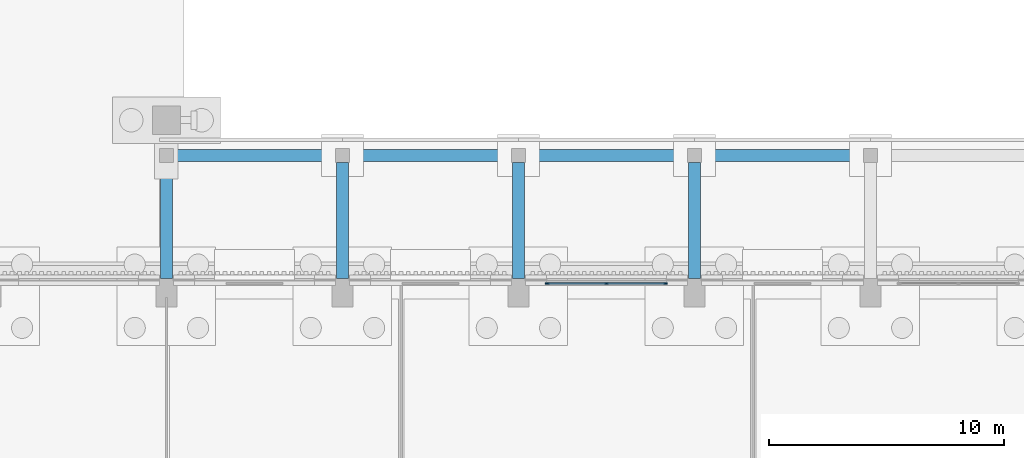
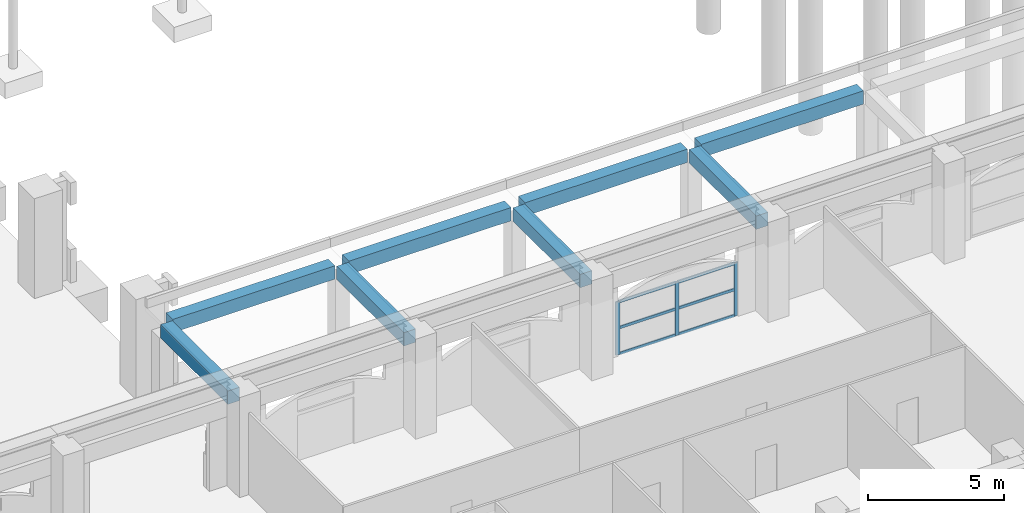
# One storey, part 25 of 99: 9 members, 8 beams, 1 element without a shape of its own.
"""IFC4 building model written with IfcOpenShell, lengths in metres."""

from ifc_helpers import new_model, si_unit, direction, frame, origin, origin_2d, place, context, subcontext, project, spatial, rectangle, extrude, material, layer, layer_set, material_profile, profile_set, type_object, element, aggregate, save


model = new_model("IFC4")

# Units and contexts
model_context = context("Model", 3, precision=1e-05, world=origin(), true_north=direction((0.0, 1.0)))
body_context = subcontext(model_context, "Body", "Model", "MODEL_VIEW")
ifc_project = project(units=[si_unit("LENGTHUNIT", "METRE"), si_unit("AREAUNIT", "SQUARE_METRE"), si_unit("VOLUMEUNIT", "CUBIC_METRE"), si_unit("PLANEANGLEUNIT", "RADIAN"), si_unit("MASSUNIT", "GRAM", prefix="KILO")], contexts=[model_context])

# Site, building, storey
site_placement = place(None, origin())
site = spatial("IfcSite", under=ifc_project, at=site_placement, CompositionType="ELEMENT")
building_placement = place(site_placement, origin())
building = spatial("IfcBuilding", under=site, at=building_placement, Name="Cour d'Honneur Mobility Palace", CompositionType="ELEMENT")
storey_placement = place(building_placement, origin())
storey = spatial("IfcBuildingStorey", under=building, at=storey_placement, Name="L00", CompositionType="ELEMENT", Elevation=0.0)

# Beams
ifc_material_1 = material(Name="Concrete C50", Category="concrete")
ifc_material_profile_1 = material_profile(ifc_material_1, rectangle(XDim=0.5, YDim=0.60009765625, at=origin_2d()), Name="Arcade beam 500x600")
ifc_profile_set_1 = profile_set([ifc_material_profile_1], Name="Concrete C50")
beam_type = type_object("IfcBeamType", Name="Arcade beam 500x600", PredefinedType="BEAM", material=ifc_profile_set_1)
for number, where, z_axis, x_axis, name in (
    (1, (100.199951171875, 68.39990234375, 3.699951171875), (1.0, 0.0, 0.0), (0.0, 1.0, 0.0), "Arcade beam AB-LE1"),
    (2, (107.699951171875, 68.39990234375, 3.699951171875), (1.0, 0.0, 0.0), (0.0, 1.0, 0.0), "Arcade beam AB-LE2"),
    (3, (115.199951171875, 68.39990234375, 3.699951171875), (1.0, 0.0, 0.0), (0.0, 1.0, 0.0), "Arcade beam AB-LE3"),
    (4, (122.699951171875, 68.39990234375, 3.699951171875), (1.0, 0.0, 0.0), (0.0, 1.0, 0.0), "Arcade beam AB-LE4"),
):
    element("IfcBeam", number, at=place(storey_placement, frame(where, z_axis=z_axis, x_axis=x_axis)), inside=storey, type_object=beam_type, Name=name, PredefinedType="BEAM", context=body_context, shape_type="SweptSolid", body=[
        extrude(rectangle(XDim=0.5, YDim=0.60009765625, at=origin_2d()), origin(), (0.0, 0.0, 1.0), 6.900146484375),
    ])
for number, where, z_axis, x_axis, name in (
    (5, (99.89990234375, 63.14990234375, 3.699951171875), (0.0, 1.0, 0.0), (-1.0, 0.0, 0.0), "Arcade beam AB-TE1"),
    (6, (107.39990234375, 63.14990234375, 3.699951171875), (0.0, 1.0, 0.0), (-1.0, 0.0, 0.0), "Arcade beam AB-TE2"),
    (7, (114.89990234375, 63.14990234375, 3.699951171875), (0.0, 1.0, 0.0), (-1.0, 0.0, 0.0), "Arcade beam AB-TE3"),
    (8, (122.39990234375, 63.14990234375, 3.699951171875), (0.0, 1.0, 0.0), (-1.0, 0.0, 0.0), "Arcade beam AB-TE4"),
):
    element("IfcBeam", number, at=place(storey_placement, frame(where, z_axis=z_axis, x_axis=x_axis)), inside=storey, type_object=beam_type, Name=name, PredefinedType="BEAM", context=body_context, shape_type="SweptSolid", body=[
        extrude(rectangle(XDim=0.5, YDim=0.60009765625, at=origin_2d()), origin(), (0.0, 0.0, 1.0), 4.9501953125),
    ])

# Curtain wall, members
ifc_material_2 = material(Name="Aluminium and glass", Category="aluminium")
ifc_layer = layer(ifc_material_2, 0.10009765625)
ifc_layer_set = layer_set([ifc_layer], Name="Aluminium and glass")
curtain_wall_type = type_object("IfcCurtainWallType", Name="Curtain wall run", PredefinedType="NOTDEFINED", material=ifc_layer_set)
curtain_wall_placement = place(storey_placement, origin())
curtain_wall = element("IfcCurtainWall", 9, at=curtain_wall_placement, inside=storey, type_object=curtain_wall_type, Name="Curtain wall CW-8", PredefinedType="NOTDEFINED")
ifc_material_3 = material(Name="Aluminium", Category="aluminium")
ifc_material_profile_2 = material_profile(ifc_material_3, rectangle(XDim=0.06005859375, YDim=0.159912109375, at=origin_2d()), Name="Curtain wall mullion")
ifc_profile_set_2 = profile_set([ifc_material_profile_2], Name="Aluminium")
member_type_1 = type_object("IfcMemberType", Name="Curtain wall mullion", PredefinedType="MULLION", material=ifc_profile_set_2)
member_1_placement = place(storey_placement, frame((121.169921875, 62.949951171875, 0.0), z_axis=(0.0, 0.0, 1.0), x_axis=(0.0, -1.0, 0.0)))
member_1 = element("IfcMember", 10, at=member_1_placement, type_object=member_type_1, Name="CW-8 mullion 1", PredefinedType="MULLION", context=body_context, shape_type="SweptSolid", body=[
    extrude(rectangle(XDim=0.06005859375, YDim=0.159912109375, at=origin_2d()), origin(), (0.0, 0.0, 1.0), 2.39990234375),
])
member_2_placement = place(storey_placement, frame((118.64990234375, 62.949951171875, 0.0), z_axis=(0.0, 0.0, 1.0), x_axis=(0.0, -1.0, 0.0)))
member_2 = element("IfcMember", 11, at=member_2_placement, type_object=member_type_1, Name="CW-8 mullion 2", PredefinedType="MULLION", context=body_context, shape_type="SweptSolid", body=[
    extrude(rectangle(XDim=0.06005859375, YDim=0.159912109375, at=origin_2d()), origin(), (0.0, 0.0, 1.0), 2.39990234375),
])
member_3_placement = place(storey_placement, frame((116.1298828125, 62.949951171875, 0.0), z_axis=(0.0, 0.0, 1.0), x_axis=(0.0, -1.0, 0.0)))
member_3 = element("IfcMember", 12, at=member_3_placement, type_object=member_type_1, Name="CW-8 mullion 3", PredefinedType="MULLION", context=body_context, shape_type="SweptSolid", body=[
    extrude(rectangle(XDim=0.06005859375, YDim=0.159912109375, at=origin_2d()), origin(), (0.0, 0.0, 1.0), 2.39990234375),
])
ifc_material_4 = material(Name="Aluminium", Category="aluminium")
ifc_material_profile_3 = material_profile(ifc_material_4, rectangle(XDim=0.06005859375, YDim=0.1201171875, at=origin_2d()), Name="Curtain wall transom")
ifc_profile_set_3 = profile_set([ifc_material_profile_3], Name="Aluminium")
member_type_2 = type_object("IfcMemberType", Name="Curtain wall transom", PredefinedType="USERDEFINED", material=ifc_profile_set_3)
member_4_placement = place(storey_placement, frame((121.139892578125, 62.949951171875, 0.030029296875), z_axis=(-1.0, 0.0, 0.0), x_axis=(0.0, -1.0, 0.0)))
member_4 = element("IfcMember", 13, at=member_4_placement, type_object=member_type_2, Name="CW-8 transom 1.1", ObjectType="TRANSOM", PredefinedType="USERDEFINED", context=body_context, shape_type="SweptSolid", body=[
    extrude(rectangle(XDim=0.06005859375, YDim=0.1201171875, at=origin_2d()), origin(), (0.0, 0.0, 1.0), 2.4599609375),
])
member_5_placement = place(storey_placement, frame((121.139892578125, 62.949951171875, 1.199951171875), z_axis=(-1.0, 0.0, 0.0), x_axis=(0.0, -1.0, 0.0)))
member_5 = element("IfcMember", 14, at=member_5_placement, type_object=member_type_2, Name="CW-8 transom 1.2", ObjectType="TRANSOM", PredefinedType="USERDEFINED", context=body_context, shape_type="SweptSolid", body=[
    extrude(rectangle(XDim=0.06005859375, YDim=0.1201171875, at=origin_2d()), origin(), (0.0, 0.0, 1.0), 2.4599609375),
])
member_6_placement = place(storey_placement, frame((121.139892578125, 62.949951171875, 2.3701171875), z_axis=(-1.0, 0.0, 0.0), x_axis=(0.0, -1.0, 0.0)))
member_6 = element("IfcMember", 15, at=member_6_placement, type_object=member_type_2, Name="CW-8 transom 1.3", ObjectType="TRANSOM", PredefinedType="USERDEFINED", context=body_context, shape_type="SweptSolid", body=[
    extrude(rectangle(XDim=0.06005859375, YDim=0.1201171875, at=origin_2d()), origin(), (0.0, 0.0, 1.0), 2.4599609375),
])
member_7_placement = place(storey_placement, frame((118.6201171875, 62.949951171875, 0.030029296875), z_axis=(-1.0, 0.0, 0.0), x_axis=(0.0, -1.0, 0.0)))
member_7 = element("IfcMember", 16, at=member_7_placement, type_object=member_type_2, Name="CW-8 transom 2.1", ObjectType="TRANSOM", PredefinedType="USERDEFINED", context=body_context, shape_type="SweptSolid", body=[
    extrude(rectangle(XDim=0.06005859375, YDim=0.1201171875, at=origin_2d()), origin(), (0.0, 0.0, 1.0), 2.460205078125),
])
member_8_placement = place(storey_placement, frame((118.6201171875, 62.949951171875, 1.199951171875), z_axis=(-1.0, 0.0, 0.0), x_axis=(0.0, -1.0, 0.0)))
member_8 = element("IfcMember", 17, at=member_8_placement, type_object=member_type_2, Name="CW-8 transom 2.2", ObjectType="TRANSOM", PredefinedType="USERDEFINED", context=body_context, shape_type="SweptSolid", body=[
    extrude(rectangle(XDim=0.06005859375, YDim=0.1201171875, at=origin_2d()), origin(), (0.0, 0.0, 1.0), 2.460205078125),
])
member_9_placement = place(storey_placement, frame((118.6201171875, 62.949951171875, 2.3701171875), z_axis=(-1.0, 0.0, 0.0), x_axis=(0.0, -1.0, 0.0)))
member_9 = element("IfcMember", 18, at=member_9_placement, type_object=member_type_2, Name="CW-8 transom 2.3", ObjectType="TRANSOM", PredefinedType="USERDEFINED", context=body_context, shape_type="SweptSolid", body=[
    extrude(rectangle(XDim=0.06005859375, YDim=0.1201171875, at=origin_2d()), origin(), (0.0, 0.0, 1.0), 2.460205078125),
])
aggregate(curtain_wall, [member_1, member_2, member_3, member_4, member_5, member_6, member_7, member_8, member_9])

save(model, "model.ifc")
